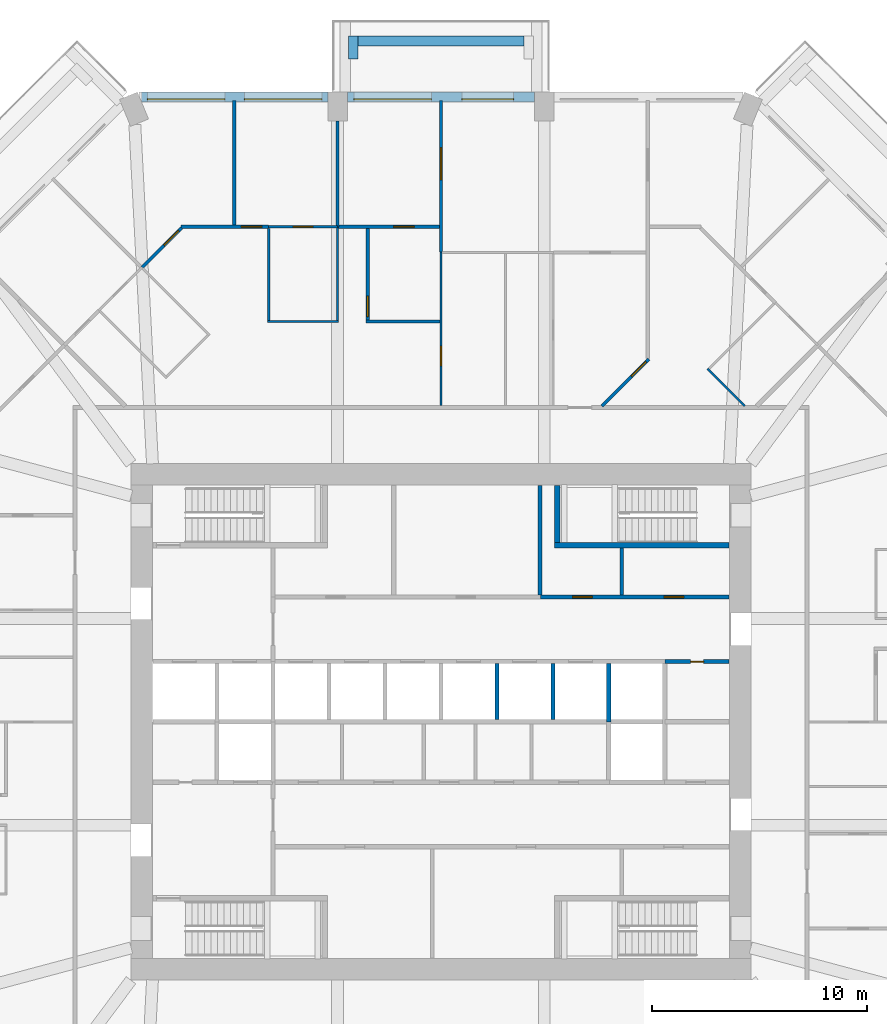
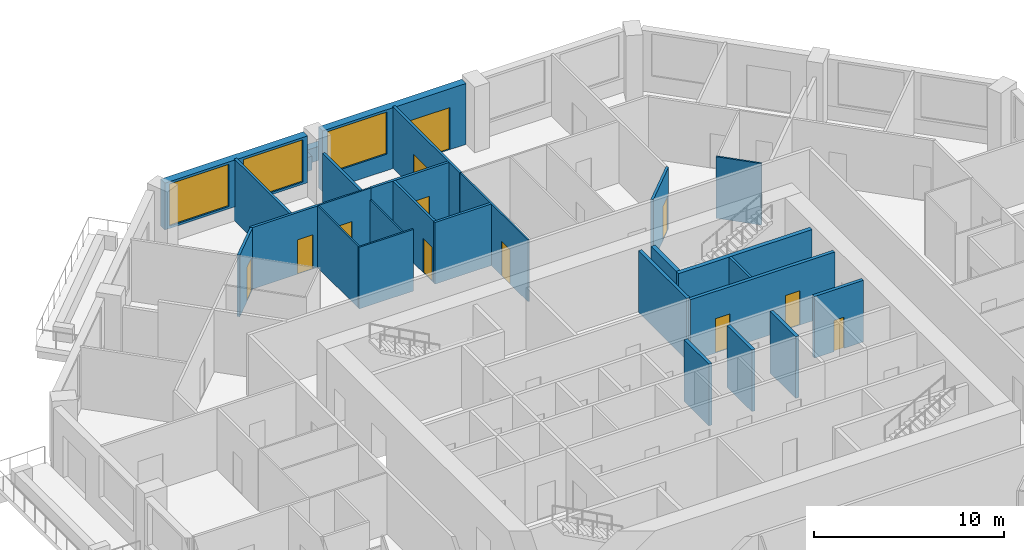
# One storey, part 9 of 13: 28 walls, 12 doors, 3 windows, 15 openings.
"""IFC4 building model written with IfcOpenShell, lengths in metres."""

from ifc_helpers import new_model, si_unit, direction, frame, frame_2d, origin, place, context, subcontext, project, spatial, rectangle, extrude, material, layer, layer_set, type_object, element, fill, save


model = new_model("IFC4")

# Units and contexts
model_context = context("Model", 3, precision=1e-05, world=origin(), true_north=direction((0.0, 1.0)))
body_context = subcontext(model_context, "Body", "Model", "MODEL_VIEW")
ifc_project = project(units=[si_unit("LENGTHUNIT", "METRE"), si_unit("AREAUNIT", "SQUARE_METRE"), si_unit("VOLUMEUNIT", "CUBIC_METRE"), si_unit("PLANEANGLEUNIT", "RADIAN"), si_unit("MASSUNIT", "GRAM", prefix="KILO")], contexts=[model_context])

# Site, building, storey
site_placement = place(None, origin())
site = spatial("IfcSite", under=ifc_project, at=site_placement, CompositionType="ELEMENT")
building_placement = place(site_placement, origin())
building = spatial("IfcBuilding", under=site, at=building_placement, Name="Msitu Wima Residences", CompositionType="ELEMENT")
storey_placement = place(building_placement, frame((0.0, 0.0, 33.89990234375)))
storey = spatial("IfcBuildingStorey", under=building, at=storey_placement, Name="L07", CompositionType="ELEMENT", Elevation=33.89990234375)

# Walls
ifc_material_1 = material(Name="Facing brick")
ifc_layer_1 = layer(ifc_material_1, 0.06494140625, Name="Facing brick")
ifc_material_2 = material(Name="Concrete C40/50", Category="concrete")
ifc_layer_2 = layer(ifc_material_2, 0.156005859375, Name="Concrete C40/50")
ifc_material_3 = material(Name="Waterproofing membrane")
ifc_layer_3 = layer(ifc_material_3, 0.00390625, Name="Waterproofing membrane")
ifc_material_4 = material(Name="Planting soil and planting")
ifc_layer_4 = layer(ifc_material_4, 0.22509765625, Name="Planting soil and planting")
ifc_layer_set_1 = layer_set([ifc_layer_1, ifc_layer_2, ifc_layer_3, ifc_layer_4], Name="Concrete C40/50")
wall_type_1 = type_object("IfcWallType", Name="Balcony planter PLANTER PL450", PredefinedType="USERDEFINED", material=ifc_layer_set_1)
wall_1_placement = place(storey_placement, frame((3.85009765625, 31.625, 0.0), z_axis=(0.0, 0.0, 1.0), x_axis=(-1.0, 0.0, 0.0)))
element("IfcWall", 1, at=wall_1_placement, inside=storey, type_object=wall_type_1, Name="Balcony planter N1 L07", ObjectType="PLANTER", PredefinedType="USERDEFINED", context=body_context, shape_type="SweptSolid", body=[
    extrude(rectangle(XDim=7.7001953125, YDim=0.449951171875, at=frame_2d((3.85009765625, 0.0))), origin(), (0.0, 0.0, 1.0), 0.900146484375),
])
wall_2_placement = place(storey_placement, frame((-4.074951171875, 30.800048828125, 0.0), z_axis=(0.0, 0.0, 1.0), x_axis=(0.0, 1.0, 0.0)))
element("IfcWall", 2, at=wall_2_placement, inside=storey, type_object=wall_type_1, Name="Balcony planter N1 L07", ObjectType="PLANTER", PredefinedType="USERDEFINED", context=body_context, shape_type="SweptSolid", body=[
    extrude(rectangle(XDim=1.050048828125, YDim=0.449951171875, at=frame_2d((0.52490234375, 0.0))), origin(), (0.0, 0.0, 1.0), 0.900146484375),
])

# Wall, openings, door, window
ifc_material_5 = material(Name="Brick (red buff mix)", Category="masonry")
ifc_layer_5 = layer(ifc_material_5, 0.449951171875)
ifc_layer_set_2 = layer_set([ifc_layer_5], Name="Brick (red buff mix)")
wall_type_2 = type_object("IfcWallType", Name="Brick infill wall BW450", PredefinedType="SOLIDWALL", material=ifc_layer_set_2)
wall_3_placement = place(storey_placement, frame((4.35009765625, 29.02490234375, 0.0), z_axis=(0.0, 0.0, 1.0), x_axis=(-1.0, 0.0, 0.0)))
wall_3 = element("IfcWall", 3, at=wall_3_placement, inside=storey, type_object=wall_type_2, Name="Brick infill wall L07 N1", PredefinedType="SOLIDWALL", context=body_context, shape_type="SweptSolid", body=[
    extrude(rectangle(XDim=8.7001953125, YDim=0.449951171875, at=frame_2d((4.35009765625, 0.0))), origin(), (0.0, 0.0, 1.0), 3.900146484375),
])
opening_1_placement = place(wall_3_placement, frame((0.97509765625, 0.0, 0.0)))
opening_1 = element("IfcOpeningElement", 4, at=opening_1_placement, cuts=wall_3, Name="Opening D05-07.003", PredefinedType="OPENING", context=body_context, shape_type="SweptSolid", body=[
    extrude(rectangle(XDim=2.39990234375, YDim=2.699951171875, at=frame_2d((1.199951171875, 1.35009765625))), frame((0.0, 0.23486328125, 0.0), z_axis=(0.0, -1.0, 0.0), x_axis=(1.0, 0.0, 0.0)), (0.0, 0.0, 1.0), 0.469970703125),
])
opening_2_placement = place(wall_3_placement, frame((4.800048828125, 0.0, 1.050048828125)))
opening_2 = element("IfcOpeningElement", 5, at=opening_2_placement, cuts=wall_3, Name="Opening W05-07.007", PredefinedType="OPENING", context=body_context, shape_type="SweptSolid", body=[
    extrude(rectangle(XDim=3.60009765625, YDim=2.699951171875, at=frame_2d((1.800048828125, 1.35009765625))), frame((0.0, 0.23486328125, 0.0), z_axis=(0.0, -1.0, 0.0), x_axis=(1.0, 0.0, 0.0)), (0.0, 0.0, 1.0), 0.469970703125),
])
ifc_material_6 = material(Name="Anodised aluminium, bronze finish, clear low-emissivity double glazing", Category="aluminium")
door_type_1 = type_object("IfcDoorType", Name="Balcony door D2400x2700", OperationType="SLIDING_TO_LEFT", PredefinedType="DOOR", material=ifc_material_6)
door_1_placement = place(opening_1_placement, origin())
door_1 = element("IfcDoor", 6, at=door_1_placement, inside=storey, type_object=door_type_1, Name="Balcony door L07 N1", OperationType="SINGLE_SWING_LEFT", OverallHeight=2.699951171875, OverallWidth=2.39990234375, PredefinedType="DOOR", context=body_context, shape_type="SweptSolid", body=[
    extrude(rectangle(XDim=2.39990234375, YDim=2.699951171875, at=frame_2d((1.199951171875, 1.35009765625))), frame((0.0, 0.1298828125, 0.0), z_axis=(0.0, -1.0, 0.0), x_axis=(1.0, 0.0, 0.0)), (0.0, 0.0, 1.0), 0.050048828125),
])
fill(opening_1, door_1)
window_type = type_object("IfcWindowType", Name="Window W3600x2700", PartitioningType="DOUBLE_PANEL_VERTICAL", PredefinedType="WINDOW", material=ifc_material_6)
window_1_placement = place(opening_2_placement, origin())
window_1 = element("IfcWindow", 7, at=window_1_placement, inside=storey, type_object=window_type, Name="Window L07 N1.2", OverallHeight=2.699951171875, OverallWidth=3.60009765625, PartitioningType="SINGLE_PANEL", PredefinedType="WINDOW", context=body_context, shape_type="SweptSolid", body=[
    extrude(rectangle(XDim=3.60009765625, YDim=2.699951171875, at=frame_2d((1.800048828125, 1.35009765625))), frame((0.0, 0.135009765625, 0.0), z_axis=(0.0, -1.0, 0.0), x_axis=(1.0, 0.0, 0.0)), (0.0, 0.0, 1.0), 0.06005859375),
])
fill(opening_2, window_1)

# Wall, openings, windows
wall_4_placement = place(storey_placement, frame((-5.25, 29.02490234375, 0.900146484375), z_axis=(0.0, 0.0, 1.0), x_axis=(-1.0, 0.0, 0.0)))
wall_4 = element("IfcWall", 8, at=wall_4_placement, inside=storey, type_object=wall_type_2, Name="Brick infill wall L07 N2", PredefinedType="SOLIDWALL", context=body_context, shape_type="SweptSolid", body=[
    extrude(rectangle(XDim=8.662841796875, YDim=0.449951171875, at=frame_2d((4.33154296875, 0.0))), origin(), (0.0, 0.0, 1.0), 3.0),
])
opening_3_placement = place(wall_4_placement, frame((0.281494140625, 0.0, 0.14990234375)))
opening_3 = element("IfcOpeningElement", 9, at=opening_3_placement, cuts=wall_4, Name="Opening W05-07.008", PredefinedType="OPENING", context=body_context, shape_type="SweptSolid", body=[
    extrude(rectangle(XDim=3.60009765625, YDim=2.699951171875, at=frame_2d((1.800048828125, 1.35009765625))), frame((0.0, 0.23486328125, 0.0), z_axis=(0.0, -1.0, 0.0), x_axis=(1.0, 0.0, 0.0)), (0.0, 0.0, 1.0), 0.469970703125),
])
opening_4_placement = place(wall_4_placement, frame((4.781494140625, 0.0, 0.14990234375)))
opening_4 = element("IfcOpeningElement", 10, at=opening_4_placement, cuts=wall_4, Name="Opening W05-07.009", PredefinedType="OPENING", context=body_context, shape_type="SweptSolid", body=[
    extrude(rectangle(XDim=3.60009765625, YDim=2.699951171875, at=frame_2d((1.800048828125, 1.35009765625))), frame((0.0, 0.23486328125, 0.0), z_axis=(0.0, -1.0, 0.0), x_axis=(1.0, 0.0, 0.0)), (0.0, 0.0, 1.0), 0.469970703125),
])
window_2_placement = place(opening_3_placement, origin())
window_2 = element("IfcWindow", 11, at=window_2_placement, inside=storey, type_object=window_type, Name="Window L07 N2.1", OverallHeight=2.699951171875, OverallWidth=3.60009765625, PartitioningType="SINGLE_PANEL", PredefinedType="WINDOW", context=body_context, shape_type="SweptSolid", body=[
    extrude(rectangle(XDim=3.60009765625, YDim=2.699951171875, at=frame_2d((1.800048828125, 1.35009765625))), frame((0.0, 0.135009765625, 0.0), z_axis=(0.0, -1.0, 0.0), x_axis=(1.0, 0.0, 0.0)), (0.0, 0.0, 1.0), 0.06005859375),
])
fill(opening_3, window_2)
window_3_placement = place(opening_4_placement, origin())
window_3 = element("IfcWindow", 12, at=window_3_placement, inside=storey, type_object=window_type, Name="Window L07 N2.2", OverallHeight=2.699951171875, OverallWidth=3.60009765625, PartitioningType="SINGLE_PANEL", PredefinedType="WINDOW", context=body_context, shape_type="SweptSolid", body=[
    extrude(rectangle(XDim=3.60009765625, YDim=2.699951171875, at=frame_2d((1.800048828125, 1.35009765625))), frame((0.0, 0.135009765625, 0.0), z_axis=(0.0, -1.0, 0.0), x_axis=(1.0, 0.0, 0.0)), (0.0, 0.0, 1.0), 0.06005859375),
])
fill(opening_4, window_3)

# Wall, openings, doors
ifc_material_7 = material(Name="Plaster")
ifc_layer_6 = layer(ifc_material_7, 0.011962890625, Name="Plaster")
ifc_material_8 = material(Name="Concrete blockwork", Category="masonry")
ifc_layer_7 = layer(ifc_material_8, 0.176025390625, Name="Concrete blockwork")
ifc_layer_8 = layer(ifc_material_7, 0.011962890625, Name="Plaster")
ifc_layer_set_3 = layer_set([ifc_layer_6, ifc_layer_7, ifc_layer_8], Name="Concrete blockwork")
wall_type_3 = type_object("IfcWallType", Name="Corridor wall FW200", PredefinedType="PARTITIONING", material=ifc_layer_set_3)
wall_5_placement = place(storey_placement, frame((4.6201171875, 5.800048828125, 0.0), z_axis=(0.0, 0.0, 1.0), x_axis=(1.0, 0.0, 0.0)))
wall_5 = element("IfcWall", 13, at=wall_5_placement, inside=storey, type_object=wall_type_3, Name="Corridor wall", PredefinedType="PARTITIONING", context=body_context, shape_type="SweptSolid", body=[
    extrude(rectangle(XDim=8.75, YDim=0.199951171875, at=frame_2d((4.375, 0.0))), origin(), (0.0, 0.0, 1.0), 3.9501953125),
])
opening_5_placement = place(wall_5_placement, frame((1.5, 0.0, 0.0)))
opening_5 = element("IfcOpeningElement", 14, at=opening_5_placement, cuts=wall_5, Name="Opening D05-07.022", PredefinedType="OPENING", context=body_context, shape_type="SweptSolid", body=[
    extrude(rectangle(XDim=0.89990234375, YDim=2.199951171875, at=frame_2d((0.449951171875, 1.10009765625))), frame((0.0, 0.10986328125, 0.0), z_axis=(0.0, -1.0, 0.0), x_axis=(1.0, 0.0, 0.0)), (0.0, 0.0, 1.0), 0.219970703125),
])
opening_6_placement = place(wall_5_placement, frame((5.75, 0.0, 0.0)))
opening_6 = element("IfcOpeningElement", 15, at=opening_6_placement, cuts=wall_5, Name="Opening D05-07.023", PredefinedType="OPENING", context=body_context, shape_type="SweptSolid", body=[
    extrude(rectangle(XDim=0.89990234375, YDim=2.199951171875, at=frame_2d((0.449951171875, 1.10009765625))), frame((0.0, 0.10986328125, 0.0), z_axis=(0.0, -1.0, 0.0), x_axis=(1.0, 0.0, 0.0)), (0.0, 0.0, 1.0), 0.219970703125),
])
ifc_material_9 = material(Name="Timber flush door", Category="wood")
door_type_2 = type_object("IfcDoorType", Name="Service door D05 900x2200", OperationType="SINGLE_SWING_LEFT", PredefinedType="DOOR", material=ifc_material_9)
door_2_placement = place(opening_5_placement, origin())
door_2 = element("IfcDoor", 16, at=door_2_placement, inside=storey, type_object=door_type_2, Name="Service door", OperationType="SINGLE_SWING_RIGHT", OverallHeight=2.199951171875, OverallWidth=0.89990234375, PredefinedType="DOOR", context=body_context, shape_type="SweptSolid", body=[
    extrude(rectangle(XDim=0.89990234375, YDim=2.199951171875, at=frame_2d((0.449951171875, 1.10009765625))), frame((0.0, 0.02490234375, 0.0), z_axis=(0.0, -1.0, 0.0), x_axis=(1.0, 0.0, 0.0)), (0.0, 0.0, 1.0), 0.050048828125),
])
fill(opening_5, door_2)
door_3_placement = place(opening_6_placement, origin())
door_3 = element("IfcDoor", 17, at=door_3_placement, inside=storey, type_object=door_type_2, Name="Service door", OperationType="SINGLE_SWING_LEFT", OverallHeight=2.199951171875, OverallWidth=0.89990234375, PredefinedType="DOOR", context=body_context, shape_type="SweptSolid", body=[
    extrude(rectangle(XDim=0.89990234375, YDim=2.199951171875, at=frame_2d((0.449951171875, 1.10009765625))), frame((0.0, 0.02490234375, 0.0), z_axis=(0.0, -1.0, 0.0), x_axis=(1.0, 0.0, 0.0)), (0.0, 0.0, 1.0), 0.050048828125),
])
fill(opening_6, door_3)

# Wall, opening, door
ifc_layer_9 = layer(ifc_material_7, 0.011962890625, Name="Plaster")
ifc_layer_10 = layer(ifc_material_8, 0.1259765625, Name="Concrete blockwork")
ifc_layer_11 = layer(ifc_material_7, 0.011962890625, Name="Plaster")
ifc_layer_set_4 = layer_set([ifc_layer_9, ifc_layer_10, ifc_layer_11], Name="Concrete blockwork")
wall_type_4 = type_object("IfcWallType", Name="Partition PW150", PredefinedType="PARTITIONING", material=ifc_layer_set_4)
wall_6_placement = place(storey_placement, frame((-13.884521484375, 21.113037109375, 0.0), z_axis=(0.0, 0.0, 1.0), x_axis=(0.707106781187, 0.707106781187, 0.0)))
wall_6 = element("IfcWall", 18, at=wall_6_placement, inside=storey, type_object=wall_type_4, Name="Partition", PredefinedType="PARTITIONING", context=body_context, shape_type="SweptSolid", body=[
    extrude(rectangle(XDim=2.59375, YDim=0.14990234375, at=frame_2d((1.296875, 0.0))), origin(), (0.0, 0.0, 1.0), 3.9501953125),
])
opening_7_placement = place(wall_6_placement, frame((1.449951171875, 0.0, 0.0)))
opening_7 = element("IfcOpeningElement", 19, at=opening_7_placement, cuts=wall_6, Name="Opening D05-07.062", PredefinedType="OPENING", context=body_context, shape_type="SweptSolid", body=[
    extrude(rectangle(XDim=0.949951171875, YDim=2.199951171875, at=frame_2d((0.47509765625, 1.10009765625))), frame((0.0, 0.0849609375, 0.0), z_axis=(0.0, -1.0, 0.0), x_axis=(1.0, 0.0, 0.0)), (0.0, 0.0, 1.0), 0.169921875),
])
door_type_3 = type_object("IfcDoorType", Name="Room door D12 950x2200", OperationType="SINGLE_SWING_LEFT", PredefinedType="DOOR", material=ifc_material_9)
door_4_placement = place(opening_7_placement, origin())
door_4 = element("IfcDoor", 20, at=door_4_placement, inside=storey, type_object=door_type_3, Name="Room door", OperationType="SINGLE_SWING_LEFT", OverallHeight=2.199951171875, OverallWidth=0.949951171875, PredefinedType="DOOR", context=body_context, shape_type="SweptSolid", body=[
    extrude(rectangle(XDim=0.949951171875, YDim=2.199951171875, at=frame_2d((0.47509765625, 1.10009765625))), frame((0.0, 0.02490234375, 0.0), z_axis=(0.0, -1.0, 0.0), x_axis=(1.0, 0.0, 0.0)), (0.0, 0.0, 1.0), 0.050048828125),
])
fill(opening_7, door_4)

wall_7_placement = place(storey_placement, frame((-12.072509765625, 23.0, 0.0), z_axis=(0.0, 0.0, 1.0), x_axis=(1.0, 0.0, 0.0)))
wall_7 = element("IfcWall", 21, at=wall_7_placement, inside=storey, type_object=wall_type_4, Name="Partition", PredefinedType="PARTITIONING", context=body_context, shape_type="SweptSolid", body=[
    extrude(rectangle(XDim=4.072509765625, YDim=0.14990234375, at=frame_2d((2.0361328125, 0.0))), origin(), (0.0, 0.0, 1.0), 3.9501953125),
])
opening_8_placement = place(wall_7_placement, frame((2.800048828125, 0.0, 0.0)))
opening_8 = element("IfcOpeningElement", 22, at=opening_8_placement, cuts=wall_7, Name="Opening D05-07.059", PredefinedType="OPENING", context=body_context, shape_type="SweptSolid", body=[
    extrude(rectangle(XDim=0.949951171875, YDim=2.199951171875, at=frame_2d((0.47509765625, 1.10009765625))), frame((0.0, 0.0849609375, 0.0), z_axis=(0.0, -1.0, 0.0), x_axis=(1.0, 0.0, 0.0)), (0.0, 0.0, 1.0), 0.169921875),
])
door_5_placement = place(opening_8_placement, origin())
door_5 = element("IfcDoor", 23, at=door_5_placement, inside=storey, type_object=door_type_3, Name="Room door", OperationType="SINGLE_SWING_LEFT", OverallHeight=2.199951171875, OverallWidth=0.949951171875, PredefinedType="DOOR", context=body_context, shape_type="SweptSolid", body=[
    extrude(rectangle(XDim=0.949951171875, YDim=2.199951171875, at=frame_2d((0.47509765625, 1.10009765625))), frame((0.0, 0.02490234375, 0.0), z_axis=(0.0, -1.0, 0.0), x_axis=(1.0, 0.0, 0.0)), (0.0, 0.0, 1.0), 0.050048828125),
])
fill(opening_8, door_5)

# Walls
wall_8_placement = place(storey_placement, frame((-9.60009765625, 23.074951171875, 0.0), z_axis=(0.0, 0.0, 1.0), x_axis=(0.0, 1.0, 0.0)))
element("IfcWall", 24, at=wall_8_placement, inside=storey, type_object=wall_type_4, Name="Partition", PredefinedType="PARTITIONING", context=body_context, shape_type="SweptSolid", body=[
    extrude(rectangle(XDim=5.780029296875, YDim=0.14990234375, at=frame_2d((2.89013671875, 0.0))), origin(), (0.0, 0.0, 1.0), 3.9501953125),
])
wall_9_placement = place(storey_placement, frame((-4.800048828125, 22.97998046875, 0.0), z_axis=(0.0, 0.0, 1.0), x_axis=(0.0, 1.0, 0.0)))
element("IfcWall", 25, at=wall_9_placement, inside=storey, type_object=wall_type_4, Name="Partition", PredefinedType="PARTITIONING", context=body_context, shape_type="SweptSolid", body=[
    extrude(rectangle(XDim=4.919921875, YDim=0.14990234375, at=frame_2d((2.4599609375, 0.0))), origin(), (0.0, 0.0, 1.0), 3.2001953125),
])

# Wall, opening, door
wall_10_placement = place(storey_placement, frame((-4.800048828125, 23.0, 0.0), z_axis=(0.0, 0.0, 1.0), x_axis=(1.0, 0.0, 0.0)))
wall_10 = element("IfcWall", 26, at=wall_10_placement, inside=storey, type_object=wall_type_4, Name="Partition", PredefinedType="PARTITIONING", context=body_context, shape_type="SweptSolid", body=[
    extrude(rectangle(XDim=4.72509765625, YDim=0.14990234375, at=frame_2d((2.362548828125, 0.0))), origin(), (0.0, 0.0, 1.0), 3.9501953125),
])
opening_9_placement = place(wall_10_placement, frame((2.60009765625, 0.0, 0.0)))
opening_9 = element("IfcOpeningElement", 27, at=opening_9_placement, cuts=wall_10, Name="Opening D05-07.054", PredefinedType="OPENING", context=body_context, shape_type="SweptSolid", body=[
    extrude(rectangle(XDim=0.949951171875, YDim=2.199951171875, at=frame_2d((0.47509765625, 1.10009765625))), frame((0.0, 0.0849609375, 0.0), z_axis=(0.0, -1.0, 0.0), x_axis=(1.0, 0.0, 0.0)), (0.0, 0.0, 1.0), 0.169921875),
])
door_6_placement = place(opening_9_placement, origin())
door_6 = element("IfcDoor", 28, at=door_6_placement, inside=storey, type_object=door_type_3, Name="Room door", OperationType="SINGLE_SWING_RIGHT", OverallHeight=2.199951171875, OverallWidth=0.949951171875, PredefinedType="DOOR", context=body_context, shape_type="SweptSolid", body=[
    extrude(rectangle(XDim=0.949951171875, YDim=2.199951171875, at=frame_2d((0.47509765625, 1.10009765625))), frame((0.0, 0.02490234375, 0.0), z_axis=(0.0, -1.0, 0.0), x_axis=(1.0, 0.0, 0.0)), (0.0, 0.0, 1.0), 0.050048828125),
])
fill(opening_9, door_6)

wall_11_placement = place(storey_placement, frame((-3.39990234375, 18.675048828125, 0.0), z_axis=(0.0, 0.0, 1.0), x_axis=(0.0, 1.0, 0.0)))
wall_11 = element("IfcWall", 29, at=wall_11_placement, inside=storey, type_object=wall_type_4, Name="Partition", PredefinedType="PARTITIONING", context=body_context, shape_type="SweptSolid", body=[
    extrude(rectangle(XDim=4.25, YDim=0.14990234375, at=frame_2d((2.125, 0.0))), origin(), (0.0, 0.0, 1.0), 3.9501953125),
])
opening_10_placement = place(wall_11_placement, frame((0.14990234375, 0.0, 0.0)))
opening_10 = element("IfcOpeningElement", 30, at=opening_10_placement, cuts=wall_11, Name="Opening D05-07.056", PredefinedType="OPENING", context=body_context, shape_type="SweptSolid", body=[
    extrude(rectangle(XDim=0.949951171875, YDim=2.199951171875, at=frame_2d((0.47509765625, 1.10009765625))), frame((0.0, 0.0849609375, 0.0), z_axis=(0.0, -1.0, 0.0), x_axis=(1.0, 0.0, 0.0)), (0.0, 0.0, 1.0), 0.169921875),
])
door_7_placement = place(opening_10_placement, origin())
door_7 = element("IfcDoor", 31, at=door_7_placement, inside=storey, type_object=door_type_3, Name="Room door", OperationType="SINGLE_SWING_RIGHT", OverallHeight=2.199951171875, OverallWidth=0.949951171875, PredefinedType="DOOR", context=body_context, shape_type="SweptSolid", body=[
    extrude(rectangle(XDim=0.949951171875, YDim=2.199951171875, at=frame_2d((0.47509765625, 1.10009765625))), frame((0.0, 0.02490234375, 0.0), z_axis=(0.0, -1.0, 0.0), x_axis=(1.0, 0.0, 0.0)), (0.0, 0.0, 1.0), 0.050048828125),
])
fill(opening_10, door_7)

# Wall
wall_12_placement = place(storey_placement, frame((-3.47509765625, 18.60009765625, 0.0), z_axis=(0.0, 0.0, 1.0), x_axis=(1.0, 0.0, 0.0)))
element("IfcWall", 32, at=wall_12_placement, inside=storey, type_object=wall_type_4, Name="Partition", PredefinedType="PARTITIONING", context=body_context, shape_type="SweptSolid", body=[
    extrude(rectangle(XDim=3.425048828125, YDim=0.14990234375, at=frame_2d((1.71240234375, 0.0))), origin(), (0.0, 0.0, 1.0), 3.9501953125),
])

# Wall, opening, door
wall_13_placement = place(storey_placement, frame((0.0, 21.820068359375, 0.0), z_axis=(0.0, 0.0, 1.0), x_axis=(0.0, 1.0, 0.0)))
wall_13 = element("IfcWall", 33, at=wall_13_placement, inside=storey, type_object=wall_type_4, Name="Partition", PredefinedType="PARTITIONING", context=body_context, shape_type="SweptSolid", body=[
    extrude(rectangle(XDim=7.034912109375, YDim=0.14990234375, at=frame_2d((3.517578125, 0.0))), origin(), (0.0, 0.0, 1.0), 3.9501953125),
])
opening_11_placement = place(wall_13_placement, frame((3.35009765625, 0.0, 0.0)))
opening_11 = element("IfcOpeningElement", 34, at=opening_11_placement, cuts=wall_13, Name="Opening D05-07.050", PredefinedType="OPENING", context=body_context, shape_type="SweptSolid", body=[
    extrude(rectangle(XDim=1.5, YDim=2.199951171875, at=frame_2d((0.75, 1.10009765625))), frame((0.0, 0.0849609375, 0.0), z_axis=(0.0, -1.0, 0.0), x_axis=(1.0, 0.0, 0.0)), (0.0, 0.0, 1.0), 0.169921875),
])
ifc_material_10 = material(Name="Timber double door", Category="wood")
door_type_4 = type_object("IfcDoorType", Name="Double door D04 1500x2200", OperationType="DOUBLE_DOOR_SINGLE_SWING", PredefinedType="DOOR", material=ifc_material_10)
door_8_placement = place(opening_11_placement, origin())
door_8 = element("IfcDoor", 35, at=door_8_placement, inside=storey, type_object=door_type_4, Name="Double door", OperationType="DOUBLE_DOOR_SINGLE_SWING", OverallHeight=2.199951171875, OverallWidth=1.5, PredefinedType="DOOR", context=body_context, shape_type="SweptSolid", body=[
    extrude(rectangle(XDim=1.5, YDim=2.199951171875, at=frame_2d((0.75, 1.10009765625))), frame((0.0, 0.02490234375, 0.0), z_axis=(0.0, -1.0, 0.0), x_axis=(1.0, 0.0, 0.0)), (0.0, 0.0, 1.0), 0.050048828125),
])
fill(opening_11, door_8)

wall_14_placement = place(storey_placement, frame((7.470703125, 14.670654296875, 0.0), z_axis=(0.0, 0.0, 1.0), x_axis=(0.707106781187, 0.707106781187, 0.0)))
wall_14 = element("IfcWall", 36, at=wall_14_placement, inside=storey, type_object=wall_type_4, Name="Partition", PredefinedType="PARTITIONING", context=body_context, shape_type="SweptSolid", body=[
    extrude(rectangle(XDim=3.08642578125, YDim=0.14990234375, at=frame_2d((1.543212890625, 0.0))), origin(), (0.0, 0.0, 1.0), 3.9501953125),
])
opening_12_placement = place(wall_14_placement, frame((1.949951171875, 0.0, 0.0)))
opening_12 = element("IfcOpeningElement", 37, at=opening_12_placement, cuts=wall_14, Name="Opening D05-07.047", PredefinedType="OPENING", context=body_context, shape_type="SweptSolid", body=[
    extrude(rectangle(XDim=0.949951171875, YDim=2.199951171875, at=frame_2d((0.47509765625, 1.10009765625))), frame((0.0, 0.0849609375, 0.0), z_axis=(0.0, -1.0, 0.0), x_axis=(1.0, 0.0, 0.0)), (0.0, 0.0, 1.0), 0.169921875),
])
door_9_placement = place(opening_12_placement, origin())
door_9 = element("IfcDoor", 38, at=door_9_placement, inside=storey, type_object=door_type_3, Name="Room door", OperationType="SINGLE_SWING_RIGHT", OverallHeight=2.199951171875, OverallWidth=0.949951171875, PredefinedType="DOOR", context=body_context, shape_type="SweptSolid", body=[
    extrude(rectangle(XDim=0.949951171875, YDim=2.199951171875, at=frame_2d((0.47509765625, 1.10009765625))), frame((0.0, 0.02490234375, 0.0), z_axis=(0.0, -1.0, 0.0), x_axis=(1.0, 0.0, 0.0)), (0.0, 0.0, 1.0), 0.050048828125),
])
fill(opening_12, door_9)

# Walls
wall_15_placement = place(storey_placement, frame((8.39990234375, 5.89990234375, 0.0), z_axis=(0.0, 0.0, 1.0), x_axis=(0.0, 1.0, 0.0)))
element("IfcWall", 39, at=wall_15_placement, inside=storey, type_object=wall_type_4, Name="Partition", PredefinedType="PARTITIONING", context=body_context, shape_type="SweptSolid", body=[
    extrude(rectangle(XDim=2.175048828125, YDim=0.14990234375, at=frame_2d((1.08740234375, 0.0))), origin(), (0.0, 0.0, 1.0), 3.9501953125),
])
ifc_layer_12 = layer(ifc_material_7, 0.011962890625, Name="Plaster")
ifc_material_11 = material(Name="Reinforced concrete blockwork", Category="masonry")
ifc_layer_13 = layer(ifc_material_11, 0.176025390625, Name="Reinforced concrete blockwork")
ifc_layer_14 = layer(ifc_material_7, 0.011962890625, Name="Plaster")
ifc_layer_set_5 = layer_set([ifc_layer_12, ifc_layer_13, ifc_layer_14], Name="Reinforced concrete blockwork")
wall_type_5 = type_object("IfcWallType", Name="Plant and riser wall PL200", PredefinedType="PARTITIONING", material=ifc_layer_set_5)
wall_16_placement = place(storey_placement, frame((4.60009765625, 5.89990234375, 0.0), z_axis=(0.0, 0.0, 1.0), x_axis=(0.0, 1.0, 0.0)))
element("IfcWall", 40, at=wall_16_placement, inside=storey, type_object=wall_type_5, Name="Plant and riser wall", PredefinedType="PARTITIONING", context=body_context, shape_type="SweptSolid", body=[
    extrude(rectangle(XDim=5.070068359375, YDim=0.199951171875, at=frame_2d((2.53515625, 0.0))), origin(), (0.0, 0.0, 1.0), 3.9501953125),
])

# Wall, opening, door
wall_17_placement = place(storey_placement, frame((10.39990234375, 2.800048828125, 0.0), z_axis=(0.0, 0.0, 1.0), x_axis=(1.0, 0.0, 0.0)))
wall_17 = element("IfcWall", 41, at=wall_17_placement, inside=storey, type_object=wall_type_5, Name="Plant and riser wall", PredefinedType="PARTITIONING", context=body_context, shape_type="SweptSolid", body=[
    extrude(rectangle(XDim=2.97021484375, YDim=0.199951171875, at=frame_2d((1.485107421875, 0.0))), origin(), (0.0, 0.0, 1.0), 3.9501953125),
])
opening_13_placement = place(wall_17_placement, frame((1.199951171875, 0.0, 0.0)))
opening_13 = element("IfcOpeningElement", 42, at=opening_13_placement, cuts=wall_17, Name="Opening D05-07.029", PredefinedType="OPENING", context=body_context, shape_type="SweptSolid", body=[
    extrude(rectangle(XDim=0.60009765625, YDim=2.0, at=frame_2d((0.300048828125, 1.0))), frame((0.0, 0.10986328125, 0.0), z_axis=(0.0, -1.0, 0.0), x_axis=(1.0, 0.0, 0.0)), (0.0, 0.0, 1.0), 0.219970703125),
])
ifc_material_12 = material(Name="Steel access door, fire resisting", Category="steel")
door_type_5 = type_object("IfcDoorType", Name="Riser access door D08 600x2000", OperationType="SINGLE_SWING_LEFT", PredefinedType="DOOR", material=ifc_material_12)
door_10_placement = place(opening_13_placement, origin())
door_10 = element("IfcDoor", 43, at=door_10_placement, inside=storey, type_object=door_type_5, Name="Riser access door", OperationType="SINGLE_SWING_RIGHT", OverallHeight=2.0, OverallWidth=0.60009765625, PredefinedType="DOOR", context=body_context, shape_type="SweptSolid", body=[
    extrude(rectangle(XDim=0.60009765625, YDim=2.0, at=frame_2d((0.300048828125, 1.0))), frame((0.0, 0.02490234375, 0.0), z_axis=(0.0, -1.0, 0.0), x_axis=(1.0, 0.0, 0.0)), (0.0, 0.0, 1.0), 0.050048828125),
])
fill(opening_13, door_10)

# Walls
ifc_material_13 = material(Name="Fire-rated board")
ifc_layer_15 = layer(ifc_material_13, 0.02490234375, Name="Fire-rated board")
ifc_material_14 = material(Name="Light-gauge stud framing with mineral wool")
ifc_layer_16 = layer(ifc_material_14, 0.14990234375, Name="Light-gauge stud framing with mineral wool")
ifc_layer_17 = layer(ifc_material_13, 0.02490234375, Name="Fire-rated board")
ifc_layer_set_6 = layer_set([ifc_layer_15, ifc_layer_16, ifc_layer_17], Name="Light-gauge stud framing with mineral wool")
wall_type_6 = type_object("IfcWallType", Name="Shaft wall SH200", PredefinedType="PARTITIONING", material=ifc_layer_set_6)
for number, where, z_axis, x_axis, name in (
    (44, (2.60009765625, 0.10009765625, 0.0), (0.0, 0.0, 1.0), (0.0, 1.0, 0.0), "Shaft wall"),
    (45, (5.199951171875, 0.10009765625, 0.0), (0.0, 0.0, 1.0), (0.0, 1.0, 0.0), "Shaft wall"),
):
    element("IfcWall", number, at=place(storey_placement, frame(where, z_axis=z_axis, x_axis=x_axis)), inside=storey, type_object=wall_type_6, Name=name, PredefinedType="PARTITIONING", context=body_context, shape_type="SweptSolid", body=[
        extrude(rectangle(XDim=2.599853515625, YDim=0.199951171875, at=frame_2d((1.2998046875, 0.0))), origin(), (0.0, 0.0, 1.0), 3.9501953125),
    ])
wall_18_placement = place(storey_placement, frame((7.800048828125, 0.0, 0.0), z_axis=(0.0, 0.0, 1.0), x_axis=(0.0, 1.0, 0.0)))
element("IfcWall", 46, at=wall_18_placement, inside=storey, type_object=wall_type_6, Name="Shaft wall", PredefinedType="PARTITIONING", context=body_context, shape_type="SweptSolid", body=[
    extrude(rectangle(XDim=2.699951171875, YDim=0.199951171875, at=frame_2d((1.35009765625, 0.0))), origin(), (0.0, 0.0, 1.0), 3.9501953125),
])
ifc_material_15 = material(Name="Concrete C50/60", Category="concrete")
ifc_layer_18 = layer(ifc_material_15, 0.25)
ifc_layer_set_7 = layer_set([ifc_layer_18], Name="Concrete C50/60")
wall_type_7 = type_object("IfcWallType", Name="Stair enclosure wall SW250", PredefinedType="SHEAR", material=ifc_layer_set_7)
wall_19_placement = place(storey_placement, frame((5.39990234375, 8.324951171875, 0.0), z_axis=(0.0, 0.0, 1.0), x_axis=(0.0, 1.0, 0.0)))
element("IfcWall", 47, at=wall_19_placement, inside=storey, type_object=wall_type_7, Name="Stair enclosure wall", PredefinedType="SHEAR", context=body_context, shape_type="SweptSolid", body=[
    extrude(rectangle(XDim=2.64501953125, YDim=0.25, at=frame_2d((1.322509765625, 0.0))), origin(), (0.0, 0.0, 1.0), 3.9501953125),
])
wall_20_placement = place(storey_placement, frame((5.27490234375, 8.199951171875, 0.0), z_axis=(0.0, 0.0, 1.0), x_axis=(1.0, 0.0, 0.0)))
element("IfcWall", 48, at=wall_20_placement, inside=storey, type_object=wall_type_7, Name="Stair enclosure wall", PredefinedType="SHEAR", context=body_context, shape_type="SweptSolid", body=[
    extrude(rectangle(XDim=8.09521484375, YDim=0.25, at=frame_2d((4.047607421875, 0.0))), origin(), (0.0, 0.0, 1.0), 3.9501953125),
])

# Wall, opening, door
ifc_material_16 = material(Name="Ceramic tiles")
ifc_layer_19 = layer(ifc_material_16, 0.008056640625, Name="Ceramic tiles")
ifc_material_17 = material(Name="Moisture-resistant board")
ifc_layer_20 = layer(ifc_material_17, 0.012451171875, Name="Moisture-resistant board")
ifc_layer_21 = layer(ifc_material_14, 0.06689453125, Name="Light-gauge stud framing with mineral wool")
ifc_layer_22 = layer(ifc_material_17, 0.012451171875, Name="Moisture-resistant board")
ifc_layer_set_8 = layer_set([ifc_layer_19, ifc_layer_20, ifc_layer_21, ifc_layer_22], Name="Light-gauge stud framing with mineral wool")
wall_type_8 = type_object("IfcWallType", Name="Wet wall PW100", PredefinedType="PARTITIONING", material=ifc_layer_set_8)
wall_21_placement = place(storey_placement, frame((-8.0, 23.0, 0.0), z_axis=(0.0, 0.0, 1.0), x_axis=(1.0, 0.0, 0.0)))
wall_21 = element("IfcWall", 49, at=wall_21_placement, inside=storey, type_object=wall_type_8, Name="Wet wall", PredefinedType="PARTITIONING", context=body_context, shape_type="SweptSolid", body=[
    extrude(rectangle(XDim=3.199951171875, YDim=0.10009765625, at=frame_2d((1.60009765625, 0.0))), origin(), (0.0, 0.0, 1.0), 3.9501953125),
])
opening_14_placement = place(wall_21_placement, frame((1.14990234375, 0.0, 0.0)))
opening_14 = element("IfcOpeningElement", 50, at=opening_14_placement, cuts=wall_21, Name="Opening D05-07.060", PredefinedType="OPENING", context=body_context, shape_type="SweptSolid", body=[
    extrude(rectangle(XDim=0.89990234375, YDim=2.199951171875, at=frame_2d((0.449951171875, 1.10009765625))), frame((0.0, 0.06005859375, 0.0), z_axis=(0.0, -1.0, 0.0), x_axis=(1.0, 0.0, 0.0)), (0.0, 0.0, 1.0), 0.1201171875),
])
ifc_material_18 = material(Name="Timber flush door, moisture resistant", Category="wood")
door_type_6 = type_object("IfcDoorType", Name="Bathroom door D03 900x2200", OperationType="SINGLE_SWING_LEFT", PredefinedType="DOOR", material=ifc_material_18)
door_11_placement = place(opening_14_placement, origin())
door_11 = element("IfcDoor", 51, at=door_11_placement, inside=storey, type_object=door_type_6, Name="Bathroom door", OperationType="SINGLE_SWING_RIGHT", OverallHeight=2.199951171875, OverallWidth=0.89990234375, PredefinedType="DOOR", context=body_context, shape_type="SweptSolid", body=[
    extrude(rectangle(XDim=0.89990234375, YDim=2.199951171875, at=frame_2d((0.449951171875, 1.10009765625))), frame((0.0, 0.02490234375, 0.0), z_axis=(0.0, -1.0, 0.0), x_axis=(1.0, 0.0, 0.0)), (0.0, 0.0, 1.0), 0.050048828125),
])
fill(opening_14, door_11)

# Walls
wall_22_placement = place(storey_placement, frame((-8.0, 18.64990234375, 0.0), z_axis=(0.0, 0.0, 1.0), x_axis=(0.0, 1.0, 0.0)))
element("IfcWall", 52, at=wall_22_placement, inside=storey, type_object=wall_type_8, Name="Wet wall", PredefinedType="PARTITIONING", context=body_context, shape_type="SweptSolid", body=[
    extrude(rectangle(XDim=4.275146484375, YDim=0.10009765625, at=frame_2d((2.1376953125, 0.0))), origin(), (0.0, 0.0, 1.0), 3.9501953125),
])
wall_23_placement = place(storey_placement, frame((-8.050048828125, 18.60009765625, 0.0), z_axis=(0.0, 0.0, 1.0), x_axis=(1.0, 0.0, 0.0)))
element("IfcWall", 53, at=wall_23_placement, inside=storey, type_object=wall_type_8, Name="Wet wall", PredefinedType="PARTITIONING", context=body_context, shape_type="SweptSolid", body=[
    extrude(rectangle(XDim=3.300048828125, YDim=0.10009765625, at=frame_2d((1.64990234375, 0.0))), origin(), (0.0, 0.0, 1.0), 3.9501953125),
])
wall_24_placement = place(storey_placement, frame((-4.800048828125, 18.64990234375, 0.0), z_axis=(0.0, 0.0, 1.0), x_axis=(0.0, 1.0, 0.0)))
element("IfcWall", 54, at=wall_24_placement, inside=storey, type_object=wall_type_8, Name="Wet wall", PredefinedType="PARTITIONING", context=body_context, shape_type="SweptSolid", body=[
    extrude(rectangle(XDim=4.330078125, YDim=0.10009765625, at=frame_2d((2.1650390625, 0.0))), origin(), (0.0, 0.0, 1.0), 3.2001953125),
])

# Wall, opening, door
wall_25_placement = place(storey_placement, frame((0.0, 14.699951171875, 0.0), z_axis=(0.0, 0.0, 1.0), x_axis=(0.0, 1.0, 0.0)))
wall_25 = element("IfcWall", 55, at=wall_25_placement, inside=storey, type_object=wall_type_8, Name="Wet wall", PredefinedType="PARTITIONING", context=body_context, shape_type="SweptSolid", body=[
    extrude(rectangle(XDim=7.1201171875, YDim=0.10009765625, at=frame_2d((3.56005859375, 0.0))), origin(), (0.0, 0.0, 1.0), 3.9501953125),
])
opening_15_placement = place(wall_25_placement, frame((1.85009765625, 0.0, 0.0)))
opening_15 = element("IfcOpeningElement", 56, at=opening_15_placement, cuts=wall_25, Name="Opening D05-07.061", PredefinedType="OPENING", context=body_context, shape_type="SweptSolid", body=[
    extrude(rectangle(XDim=0.89990234375, YDim=2.199951171875, at=frame_2d((0.449951171875, 1.10009765625))), frame((0.0, 0.06005859375, 0.0), z_axis=(0.0, -1.0, 0.0), x_axis=(1.0, 0.0, 0.0)), (0.0, 0.0, 1.0), 0.1201171875),
])
door_12_placement = place(opening_15_placement, origin())
door_12 = element("IfcDoor", 57, at=door_12_placement, inside=storey, type_object=door_type_6, Name="Bathroom door", OperationType="SINGLE_SWING_RIGHT", OverallHeight=2.199951171875, OverallWidth=0.89990234375, PredefinedType="DOOR", context=body_context, shape_type="SweptSolid", body=[
    extrude(rectangle(XDim=0.89990234375, YDim=2.199951171875, at=frame_2d((0.449951171875, 1.10009765625))), frame((0.0, 0.02490234375, 0.0), z_axis=(0.0, -1.0, 0.0), x_axis=(1.0, 0.0, 0.0)), (0.0, 0.0, 1.0), 0.050048828125),
])
fill(opening_15, door_12)

# Wall
wall_26_placement = place(storey_placement, frame((12.372314453125, 16.40283203125, 0.0), z_axis=(0.0, 0.0, 1.0), x_axis=(0.707056944574, -0.707156614287, 0.0)))
element("IfcWall", 58, at=wall_26_placement, inside=storey, type_object=wall_type_8, Name="Wet wall", PredefinedType="PARTITIONING", context=body_context, shape_type="SweptSolid", body=[
    extrude(rectangle(XDim=2.449462890625, YDim=0.10009765625, at=frame_2d((1.224609375, 0.0))), origin(), (0.0, 0.0, 1.0), 3.9501953125),
])

save(model, "model.ifc")
